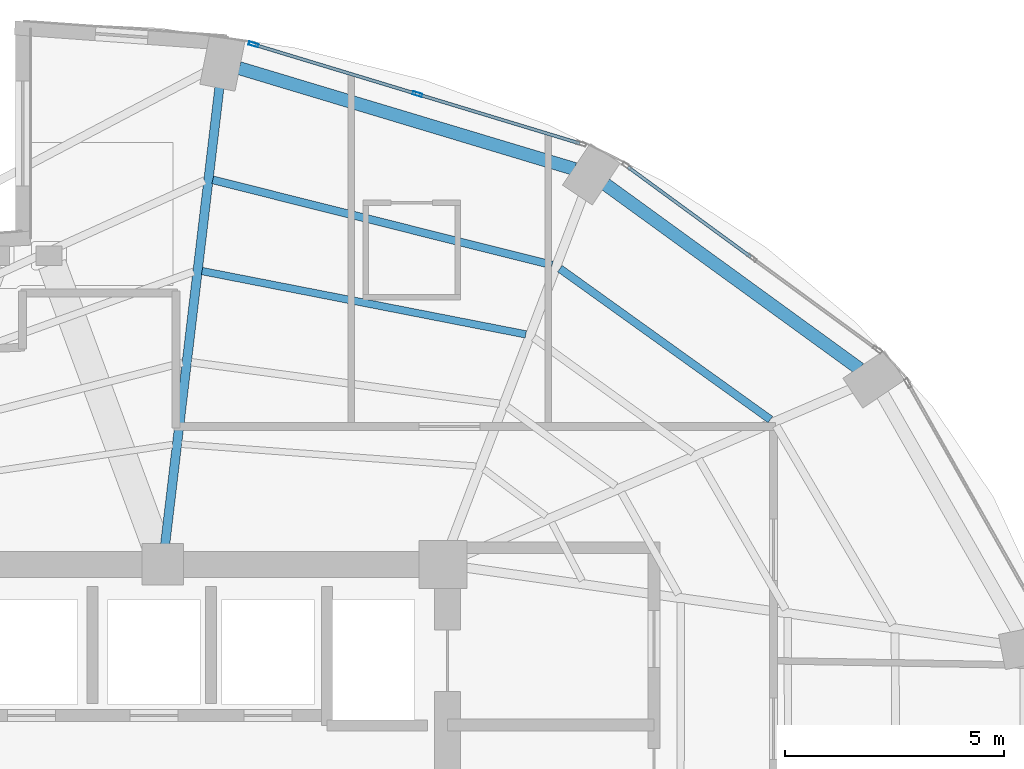
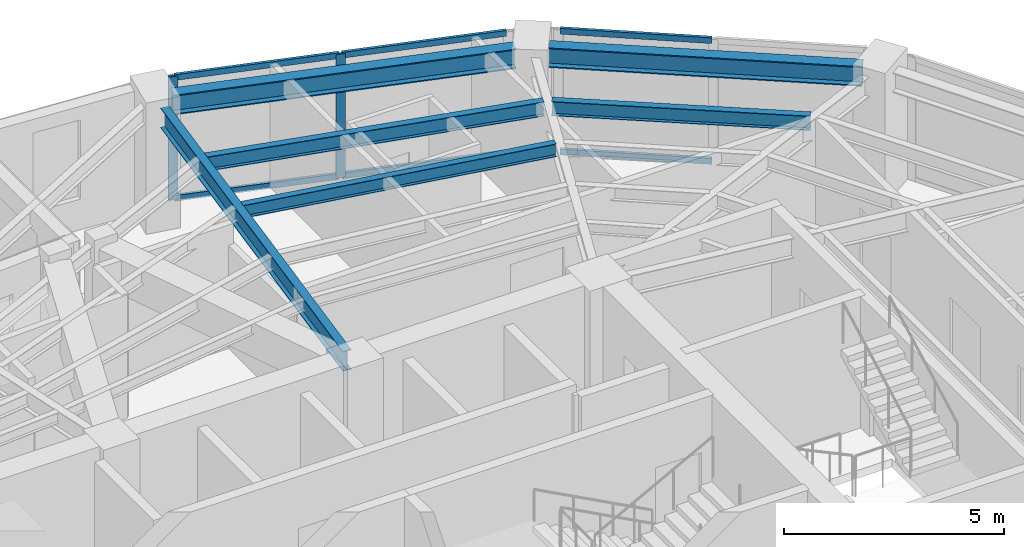
# One storey, part 13 of 20: 8 members, 6 beams, 2 elements without a shape of their own.
"""IFC4 building model written with IfcOpenShell, lengths in metres."""

from ifc_helpers import new_model, si_unit, direction, frame, origin, origin_2d, place, context, subcontext, project, spatial, hollow_rectangle, i_section, extrude, material, layer, layer_set, material_profile, profile_set, type_object, element, aggregate, save


model = new_model("IFC4")

# Units and contexts
model_context = context("Model", 3, precision=1e-05, world=origin(), true_north=direction((0.0, 1.0)))
body_context = subcontext(model_context, "Body", "Model", "MODEL_VIEW")
ifc_project = project(units=[si_unit("LENGTHUNIT", "METRE"), si_unit("AREAUNIT", "SQUARE_METRE"), si_unit("VOLUMEUNIT", "CUBIC_METRE"), si_unit("PLANEANGLEUNIT", "RADIAN"), si_unit("MASSUNIT", "GRAM", prefix="KILO")], contexts=[model_context])

# Site, building, storey
site_placement = place(None, origin())
site = spatial("IfcSite", under=ifc_project, at=site_placement, CompositionType="ELEMENT")
building_placement = place(site_placement, origin())
building = spatial("IfcBuilding", under=site, at=building_placement, Name="Lazwardi Medical Tower", CompositionType="ELEMENT")
storey_placement = place(building_placement, frame((0.0, 0.0, 145.583984375)))
storey = spatial("IfcBuildingStorey", under=building, at=storey_placement, Name="L37", CompositionType="ELEMENT", Elevation=145.583984375)

# Beams
ifc_material_1 = material(Name="Steel S355", Category="steel")
ifc_material_profile_1 = material_profile(ifc_material_1, i_section(OverallWidth=0.300048828125, OverallDepth=0.550048828125, WebThickness=0.014892578125, FlangeThickness=0.029052734375, at=origin_2d()), Name="HEB 550")
ifc_profile_set_1 = profile_set([ifc_material_profile_1], Name="Steel S355")
beam_type_1 = type_object("IfcBeamType", Name="BM-RB-Z3", PredefinedType="BEAM", material=ifc_profile_set_1)
beam_1_placement = place(storey_placement, frame((55.11181640625, 40.06591796875, 3.153076171875), z_axis=(-0.809127570774, 0.587633026824, 0.0), x_axis=(-0.587633026824, -0.809127570774, 0.0)))
element("IfcBeam", 1, at=beam_1_placement, inside=storey, type_object=beam_type_1, Name="Ring beam RB-04 B06 L37", PredefinedType="BEAM", context=body_context, shape_type="SweptSolid", body=[
    extrude(i_section(OverallWidth=0.300048828125, OverallDepth=0.550048828125, WebThickness=0.014892578125, FlangeThickness=0.029052734375, at=origin_2d()), origin(), (0.0, 0.0, 1.0), 7.170166015625),
])
beam_2_placement = place(storey_placement, frame((48.603515625, 44.62939453125, 3.153076171875), z_axis=(-0.957616873483, 0.288045002771, 0.0), x_axis=(-0.288045002771, -0.957616873483, 0.0)))
element("IfcBeam", 2, at=beam_2_placement, inside=storey, type_object=beam_type_1, Name="Ring beam RB-04 B07 L37", PredefinedType="BEAM", context=body_context, shape_type="SweptSolid", body=[
    extrude(i_section(OverallWidth=0.300048828125, OverallDepth=0.550048828125, WebThickness=0.014892578125, FlangeThickness=0.029052734375, at=origin_2d()), origin(), (0.0, 0.0, 1.0), 7.99951171875),
])
ifc_material_profile_2 = material_profile(ifc_material_1, i_section(OverallWidth=0.2099609375, OverallDepth=0.550048828125, WebThickness=0.010986328125, FlangeThickness=0.01708984375, at=origin_2d()), Name="IPE 550")
ifc_profile_set_2 = profile_set([ifc_material_profile_2], Name="Steel S355")
beam_type_2 = type_object("IfcBeamType", Name="BM-RG-W2", PredefinedType="BEAM", material=ifc_profile_set_2)
beam_3_placement = place(storey_placement, frame((40.494140625, 46.49267578125, 3.153076171875), z_axis=(-0.117968004211, -0.993017396616, 0.0), x_axis=(0.993017396616, -0.117968004211, 0.0)))
element("IfcBeam", 3, at=beam_3_placement, inside=storey, type_object=beam_type_2, Name="Radial girder RG-03 R08 L37", PredefinedType="BEAM", context=body_context, shape_type="SweptSolid", body=[
    extrude(i_section(OverallWidth=0.2099609375, OverallDepth=0.550048828125, WebThickness=0.010986328125, FlangeThickness=0.01708984375, at=origin_2d()), origin(), (0.0, 0.0, 1.0), 10.50927734375),
])
ifc_material_profile_3 = material_profile(ifc_material_1, i_section(OverallWidth=0.179931640625, OverallDepth=0.39990234375, WebThickness=0.008544921875, FlangeThickness=0.013427734375, at=origin_2d()), Name="IPE 400")
ifc_profile_set_3 = profile_set([ifc_material_profile_3], Name="Steel S355")
beam_type_3 = type_object("IfcBeamType", Name="BM-SJ-01", PredefinedType="JOIST", material=ifc_profile_set_3)
beam_4_placement = place(storey_placement, frame((53.073974609375, 38.908203125, 3.22802734375), z_axis=(-0.812602017757, 0.582818977675, 0.0), x_axis=(-0.582818977675, -0.812602017757, 0.0)))
element("IfcBeam", 4, at=beam_4_placement, inside=storey, type_object=beam_type_3, Name="Secondary joist SJ-01 R1 B06 L37", PredefinedType="JOIST", context=body_context, shape_type="SweptSolid", body=[
    extrude(i_section(OverallWidth=0.179931640625, OverallDepth=0.39990234375, WebThickness=0.008544921875, FlangeThickness=0.013427734375, at=origin_2d()), origin(), (0.0, 0.0, 1.0), 5.91259765625),
])
beam_5_placement = place(storey_placement, frame((48.091064453125, 42.43701171875, 3.22802734375), z_axis=(-0.969933596942, 0.243369713652, 0.0), x_axis=(-0.243369713652, -0.969933596942, 0.0)))
element("IfcBeam", 5, at=beam_5_placement, inside=storey, type_object=beam_type_3, Name="Secondary joist SJ-01 R1 B07 L37", PredefinedType="JOIST", context=body_context, shape_type="SweptSolid", body=[
    extrude(i_section(OverallWidth=0.179931640625, OverallDepth=0.39990234375, WebThickness=0.008544921875, FlangeThickness=0.013427734375, at=origin_2d()), origin(), (0.0, 0.0, 1.0), 7.98828125),
])
ifc_material_profile_4 = material_profile(ifc_material_1, i_section(OverallWidth=0.169921875, OverallDepth=0.360107421875, WebThickness=0.008056640625, FlangeThickness=0.0126953125, at=origin_2d()), Name="IPE 360")
ifc_profile_set_4 = profile_set([ifc_material_profile_4], Name="Steel S355")
beam_type_4 = type_object("IfcBeamType", Name="BM-SJ-02", PredefinedType="JOIST", material=ifc_profile_set_4)
beam_6_placement = place(storey_placement, frame((47.490478515625, 40.853515625, 3.248046875), z_axis=(-0.98141534692, 0.191895588353, 0.0), x_axis=(-0.191895588353, -0.98141534692, 0.0)))
element("IfcBeam", 6, at=beam_6_placement, inside=storey, type_object=beam_type_4, Name="Secondary joist SJ-02 R2 B07 L37", PredefinedType="JOIST", context=body_context, shape_type="SweptSolid", body=[
    extrude(i_section(OverallWidth=0.169921875, OverallDepth=0.360107421875, WebThickness=0.008056640625, FlangeThickness=0.0126953125, at=origin_2d()), origin(), (0.0, 0.0, 1.0), 7.534423828125),
])

# Curtain wall, members
ifc_material_2 = material(Name="Anodised bronze aluminium and solar control glazing", Category="aluminium")
ifc_layer = layer(ifc_material_2, 0.195068359375)
ifc_layer_set = layer_set([ifc_layer], Name="Anodised bronze aluminium and solar control glazing")
curtain_wall_type = type_object("IfcCurtainWallType", Name="CW-SYS-03", PredefinedType="NOTDEFINED", material=ifc_layer_set)
curtain_wall_1_placement = place(storey_placement, origin())
curtain_wall_1 = element("IfcCurtainWall", 7, at=curtain_wall_1_placement, inside=storey, type_object=curtain_wall_type, Name="L37 Unitised bronze curtain wall CW-03", PredefinedType="NOTDEFINED")
ifc_material_3 = material(Name="Anodised bronze aluminium", Category="aluminium")
ifc_material_profile_5 = material_profile(ifc_material_3, hollow_rectangle(XDim=0.074951171875, YDim=0.219970703125, WallThickness=0.00390625, at=origin_2d()), Name="ALU-MULLION 220x75x4")
ifc_profile_set_5 = profile_set([ifc_material_profile_5], Name="Anodised bronze aluminium")
member_type_1 = type_object("IfcMemberType", Name="CW-MUL-01", PredefinedType="MULLION", material=ifc_profile_set_5)
member_1_placement = place(storey_placement, frame((45.01513671875, 46.338623046875, 0.0), z_axis=(0.0, 0.0, 1.0), x_axis=(-0.290280785441, -0.956941516292, 0.0)))
member_1 = element("IfcMember", 8, at=member_1_placement, type_object=member_type_1, Name="CW-03 mullion 2", PredefinedType="MULLION", context=body_context, shape_type="SweptSolid", body=[
    extrude(hollow_rectangle(XDim=0.074951171875, YDim=0.219970703125, WallThickness=0.00390625, at=origin_2d()), origin(), (0.0, 0.0, 1.0), 3.427978515625),
])
member_2_placement = place(storey_placement, frame((41.27197265625, 47.47412109375, 0.0), z_axis=(0.0, 0.0, 1.0), x_axis=(-0.290280785441, -0.956941516292, 0.0)))
member_2 = element("IfcMember", 9, at=member_2_placement, type_object=member_type_1, Name="CW-03 mullion 3", PredefinedType="MULLION", context=body_context, shape_type="SweptSolid", body=[
    extrude(hollow_rectangle(XDim=0.074951171875, YDim=0.219970703125, WallThickness=0.00390625, at=origin_2d()), origin(), (0.0, 0.0, 1.0), 3.427978515625),
])

curtain_wall_2_placement = place(storey_placement, origin())
curtain_wall_2 = element("IfcCurtainWall", 10, at=curtain_wall_2_placement, inside=storey, type_object=curtain_wall_type, Name="L37 Unitised bronze curtain wall CW-03", PredefinedType="NOTDEFINED")
ifc_material_profile_6 = material_profile(ifc_material_3, hollow_rectangle(XDim=0.074951171875, YDim=0.159912109375, WallThickness=0.00390625, at=origin_2d()), Name="ALU-TRANSOM 160x75x4")
ifc_profile_set_6 = profile_set([ifc_material_profile_6], Name="Anodised bronze aluminium")
member_type_2 = type_object("IfcMemberType", Name="CW-TRN-01", PredefinedType="USERDEFINED", material=ifc_profile_set_6)
member_3_placement = place(storey_placement, frame((52.62744140625, 42.62109375, 0.03759765625), z_axis=(-0.806807161185, 0.590814864962, 0.0), x_axis=(-0.590814864962, -0.806807161185, 0.0)))
member_3 = element("IfcMember", 11, at=member_3_placement, type_object=member_type_2, Name="CW-03 transom 2.1", ObjectType="TRANSOM", PredefinedType="USERDEFINED", context=body_context, shape_type="SweptSolid", body=[
    extrude(hollow_rectangle(XDim=0.074951171875, YDim=0.159912109375, WallThickness=0.00390625, at=origin_2d()), origin(), (0.0, 0.0, 1.0), 3.472412109375),
])
member_4_placement = place(storey_placement, frame((52.62744140625, 42.62109375, 3.390625), z_axis=(-0.806807161185, 0.590814864962, 0.0), x_axis=(-0.590814864962, -0.806807161185, 0.0)))
member_4 = element("IfcMember", 12, at=member_4_placement, type_object=member_type_2, Name="CW-03 transom 2.2", ObjectType="TRANSOM", PredefinedType="USERDEFINED", context=body_context, shape_type="SweptSolid", body=[
    extrude(hollow_rectangle(XDim=0.074951171875, YDim=0.159912109375, WallThickness=0.00390625, at=origin_2d()), origin(), (0.0, 0.0, 1.0), 3.472412109375),
])
aggregate(curtain_wall_2, [member_3, member_4])

# Member
member_5_placement = place(storey_placement, frame((48.72216796875, 45.214111328125, 0.03759765625), z_axis=(-0.956930154175, 0.290318239233, 0.0), x_axis=(-0.290318239233, -0.956930154175, 0.0)))
member_5 = element("IfcMember", 13, at=member_5_placement, type_object=member_type_2, Name="CW-03 transom 1.1", ObjectType="TRANSOM", PredefinedType="USERDEFINED", context=body_context, shape_type="SweptSolid", body=[
    extrude(hollow_rectangle(XDim=0.074951171875, YDim=0.159912109375, WallThickness=0.00390625, at=origin_2d()), origin(), (0.0, 0.0, 1.0), 3.83642578125),
])

member_6_placement = place(storey_placement, frame((48.72216796875, 45.214111328125, 3.390625), z_axis=(-0.956930154175, 0.290318239233, 0.0), x_axis=(-0.290318239233, -0.956930154175, 0.0)))
member_6 = element("IfcMember", 14, at=member_6_placement, type_object=member_type_2, Name="CW-03 transom 1.2", ObjectType="TRANSOM", PredefinedType="USERDEFINED", context=body_context, shape_type="SweptSolid", body=[
    extrude(hollow_rectangle(XDim=0.074951171875, YDim=0.159912109375, WallThickness=0.00390625, at=origin_2d()), origin(), (0.0, 0.0, 1.0), 3.83642578125),
])

member_7_placement = place(storey_placement, frame((44.979248046875, 46.349609375, 0.03759765625), z_axis=(-0.95695319357, 0.290242287264, 0.0), x_axis=(-0.290242287264, -0.95695319357, 0.0)))
member_7 = element("IfcMember", 15, at=member_7_placement, type_object=member_type_2, Name="CW-03 transom 2.1", ObjectType="TRANSOM", PredefinedType="USERDEFINED", context=body_context, shape_type="SweptSolid", body=[
    extrude(hollow_rectangle(XDim=0.074951171875, YDim=0.159912109375, WallThickness=0.00390625, at=origin_2d()), origin(), (0.0, 0.0, 1.0), 3.83642578125),
])

member_8_placement = place(storey_placement, frame((44.979248046875, 46.349609375, 3.390625), z_axis=(-0.95695319357, 0.290242287264, 0.0), x_axis=(-0.290242287264, -0.95695319357, 0.0)))
member_8 = element("IfcMember", 16, at=member_8_placement, type_object=member_type_2, Name="CW-03 transom 2.2", ObjectType="TRANSOM", PredefinedType="USERDEFINED", context=body_context, shape_type="SweptSolid", body=[
    extrude(hollow_rectangle(XDim=0.074951171875, YDim=0.159912109375, WallThickness=0.00390625, at=origin_2d()), origin(), (0.0, 0.0, 1.0), 3.83642578125),
])

aggregate(curtain_wall_1, [member_1, member_2, member_5, member_6, member_7, member_8])

save(model, "model.ifc")
